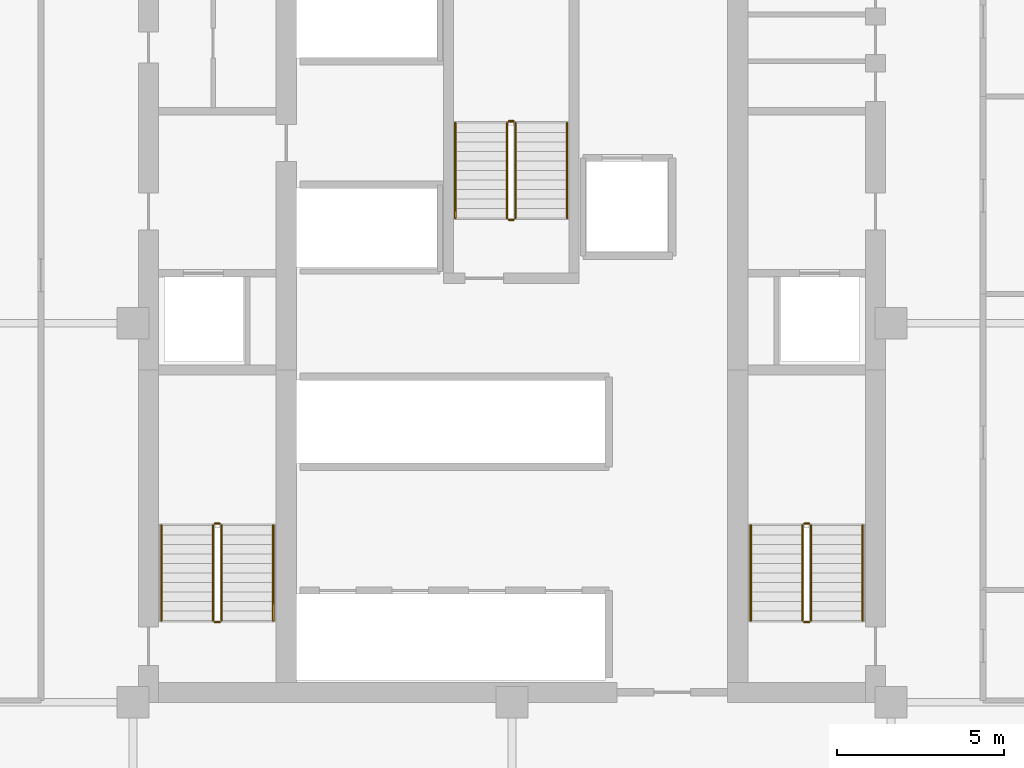
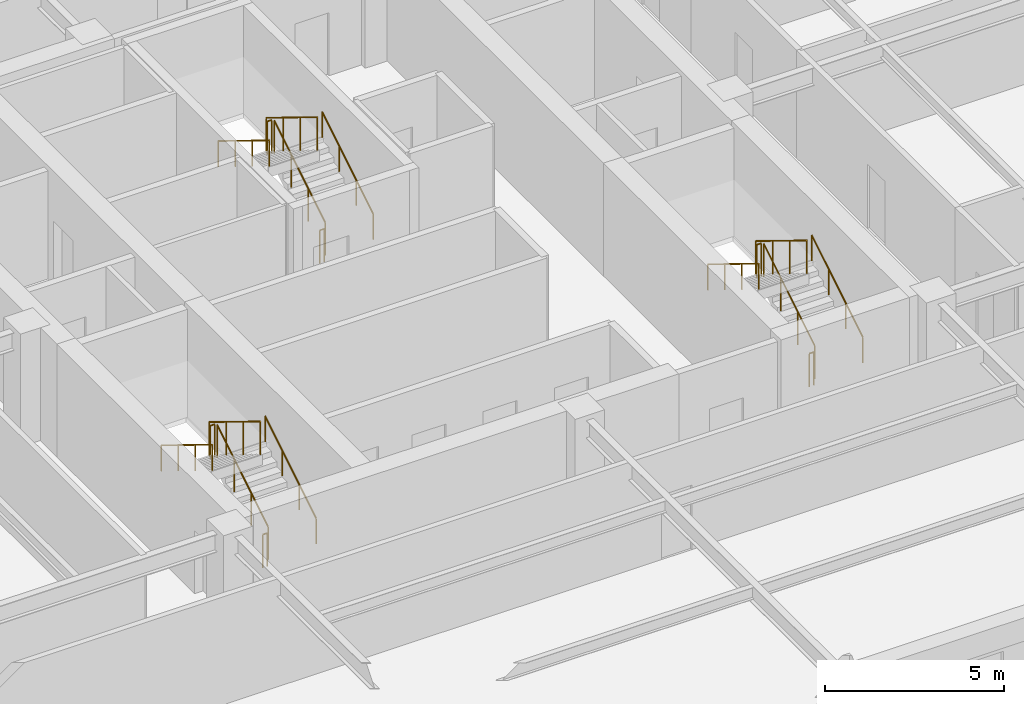
# One storey, part 9 of 9: 18 railings.
"""IFC4 building model written with IfcOpenShell, lengths in metres."""

from ifc_helpers import new_model, si_unit, direction, frame, origin, origin_2d, place, context, subcontext, project, spatial, circle, extrude, material, type_object, element, save


model = new_model("IFC4")

# Units and contexts
model_context = context("Model", 3, precision=1e-05, world=origin(), true_north=direction((0.0, 1.0)))
body_context = subcontext(model_context, "Body", "Model", "MODEL_VIEW")
ifc_project = project(units=[si_unit("LENGTHUNIT", "METRE"), si_unit("AREAUNIT", "SQUARE_METRE"), si_unit("VOLUMEUNIT", "CUBIC_METRE"), si_unit("PLANEANGLEUNIT", "RADIAN"), si_unit("MASSUNIT", "GRAM", prefix="KILO")], contexts=[model_context])

# Site, building, storey
site_placement = place(None, origin())
site = spatial("IfcSite", under=ifc_project, at=site_placement, CompositionType="ELEMENT")
building_placement = place(site_placement, origin())
building = spatial("IfcBuilding", under=site, at=building_placement, Name="Nhamokura Convention Tower", CompositionType="ELEMENT")
storey_placement = place(building_placement, frame((0.0, 0.0, 149.10009765625)))
storey = spatial("IfcBuildingStorey", under=building, at=storey_placement, Name="L36", CompositionType="ELEMENT", Elevation=149.10009765625)

# Railings
ifc_material_1 = material(Name="Anodised bronze stainless steel", Category="steel")
railing_type_1 = type_object("IfcRailingType", Name="StairWallHandrail_900", PredefinedType="HANDRAIL", material=ifc_material_1)
railing_1_placement = place(storey_placement, frame((24.85009765625, 23.10009765625, 0.1748046875)))
element("IfcRailing", 1, at=railing_1_placement, inside=storey, type_object=railing_type_1, Name="L36 ST-01 stair handrail 1", PredefinedType="HANDRAIL", context=body_context, shape_type="SweptSolid", body=[
    extrude(circle(Radius=0.02392578125, at=origin_2d()), frame((0.0, 0.0, 0.8759765625), z_axis=(0.0, 0.852159232446, 0.523282564737), x_axis=(-1.0, 0.0, 0.0)), (0.0, 0.0, 1.0), 3.34423828125),
    extrude(circle(Radius=0.02099609375, at=origin_2d()), origin(), (0.0, 0.0, 1.0), 0.851806640625),
    extrude(circle(Radius=0.02099609375, at=origin_2d()), frame((0.0, 0.949951171875, 0.583251953125)), (0.0, 0.0, 1.0), 0.851806640625),
    extrude(circle(Radius=0.02099609375, at=origin_2d()), frame((0.0, 1.89990234375, 1.166748046875)), (0.0, 0.0, 1.0), 0.851806640625),
    extrude(circle(Radius=0.02099609375, at=origin_2d()), frame((0.0, 2.849853515625, 1.75)), (0.0, 0.0, 1.0), 0.851806640625),
])
railing_2_placement = place(storey_placement, frame((21.5, 25.949951171875, 2.099853515625)))
element("IfcRailing", 2, at=railing_2_placement, inside=storey, type_object=railing_type_1, Name="L36 ST-01 stair handrail 2", PredefinedType="HANDRAIL", context=body_context, shape_type="SweptSolid", body=[
    extrude(circle(Radius=0.02392578125, at=origin_2d()), frame((0.0, 0.0, 0.8759765625), z_axis=(0.0, -0.852159232446, 0.523282564737), x_axis=(1.0, 0.0, 0.0)), (0.0, 0.0, 1.0), 3.34423828125),
    extrude(circle(Radius=0.02099609375, at=origin_2d()), origin(), (0.0, 0.0, 1.0), 0.851806640625),
    extrude(circle(Radius=0.02099609375, at=origin_2d()), frame((0.0, -0.949951171875, 0.583251953125)), (0.0, 0.0, 1.0), 0.851806640625),
    extrude(circle(Radius=0.02099609375, at=origin_2d()), frame((0.0, -1.89990234375, 1.166748046875)), (0.0, 0.0, 1.0), 0.851806640625),
    extrude(circle(Radius=0.02099609375, at=origin_2d()), frame((0.0, -2.849853515625, 1.75)), (0.0, 0.0, 1.0), 0.851806640625),
])
railing_3_placement = place(storey_placement, frame((42.5, 23.10009765625, 0.1748046875)))
element("IfcRailing", 3, at=railing_3_placement, inside=storey, type_object=railing_type_1, Name="L36 ST-02 stair handrail 1", PredefinedType="HANDRAIL", context=body_context, shape_type="SweptSolid", body=[
    extrude(circle(Radius=0.02392578125, at=origin_2d()), frame((0.0, 0.0, 0.8759765625), z_axis=(0.0, 0.852159232446, 0.523282564737), x_axis=(-1.0, 0.0, 0.0)), (0.0, 0.0, 1.0), 3.34423828125),
    extrude(circle(Radius=0.02099609375, at=origin_2d()), origin(), (0.0, 0.0, 1.0), 0.851806640625),
    extrude(circle(Radius=0.02099609375, at=origin_2d()), frame((0.0, 0.949951171875, 0.583251953125)), (0.0, 0.0, 1.0), 0.851806640625),
    extrude(circle(Radius=0.02099609375, at=origin_2d()), frame((0.0, 1.89990234375, 1.166748046875)), (0.0, 0.0, 1.0), 0.851806640625),
    extrude(circle(Radius=0.02099609375, at=origin_2d()), frame((0.0, 2.849853515625, 1.75)), (0.0, 0.0, 1.0), 0.851806640625),
])
railing_4_placement = place(storey_placement, frame((39.14990234375, 25.949951171875, 2.099853515625)))
element("IfcRailing", 4, at=railing_4_placement, inside=storey, type_object=railing_type_1, Name="L36 ST-02 stair handrail 2", PredefinedType="HANDRAIL", context=body_context, shape_type="SweptSolid", body=[
    extrude(circle(Radius=0.02392578125, at=origin_2d()), frame((0.0, 0.0, 0.8759765625), z_axis=(0.0, -0.852159232446, 0.523282564737), x_axis=(1.0, 0.0, 0.0)), (0.0, 0.0, 1.0), 3.34423828125),
    extrude(circle(Radius=0.02099609375, at=origin_2d()), origin(), (0.0, 0.0, 1.0), 0.851806640625),
    extrude(circle(Radius=0.02099609375, at=origin_2d()), frame((0.0, -0.949951171875, 0.583251953125)), (0.0, 0.0, 1.0), 0.851806640625),
    extrude(circle(Radius=0.02099609375, at=origin_2d()), frame((0.0, -1.89990234375, 1.166748046875)), (0.0, 0.0, 1.0), 0.851806640625),
    extrude(circle(Radius=0.02099609375, at=origin_2d()), frame((0.0, -2.849853515625, 1.75)), (0.0, 0.0, 1.0), 0.851806640625),
])
railing_5_placement = place(storey_placement, frame((33.64990234375, 35.14990234375, 0.1748046875)))
element("IfcRailing", 5, at=railing_5_placement, inside=storey, type_object=railing_type_1, Name="L36 ST-03 stair handrail 1", PredefinedType="HANDRAIL", context=body_context, shape_type="SweptSolid", body=[
    extrude(circle(Radius=0.02392578125, at=origin_2d()), frame((0.0, 0.0, 0.8759765625), z_axis=(0.0, 0.852179220489, 0.52325001306), x_axis=(-1.0, 0.0, 0.0)), (0.0, 0.0, 1.0), 3.344482421875),
    extrude(circle(Radius=0.02099609375, at=origin_2d()), origin(), (0.0, 0.0, 1.0), 0.851806640625),
    extrude(circle(Radius=0.02099609375, at=origin_2d()), frame((0.0, 0.949951171875, 0.583251953125)), (0.0, 0.0, 1.0), 0.851806640625),
    extrude(circle(Radius=0.02099609375, at=origin_2d()), frame((0.0, 1.900146484375, 1.166748046875)), (0.0, 0.0, 1.0), 0.851806640625),
    extrude(circle(Radius=0.02099609375, at=origin_2d()), frame((0.0, 2.85009765625, 1.75)), (0.0, 0.0, 1.0), 0.851806640625),
])
railing_6_placement = place(storey_placement, frame((30.300048828125, 38.0, 2.099853515625)))
element("IfcRailing", 6, at=railing_6_placement, inside=storey, type_object=railing_type_1, Name="L36 ST-03 stair handrail 2", PredefinedType="HANDRAIL", context=body_context, shape_type="SweptSolid", body=[
    extrude(circle(Radius=0.02392578125, at=origin_2d()), frame((0.0, 0.0, 0.8759765625), z_axis=(0.0, -0.852179220489, 0.52325001306), x_axis=(1.0, 0.0, 0.0)), (0.0, 0.0, 1.0), 3.344482421875),
    extrude(circle(Radius=0.02099609375, at=origin_2d()), origin(), (0.0, 0.0, 1.0), 0.851806640625),
    extrude(circle(Radius=0.02099609375, at=origin_2d()), frame((0.0, -0.949951171875, 0.583251953125)), (0.0, 0.0, 1.0), 0.851806640625),
    extrude(circle(Radius=0.02099609375, at=origin_2d()), frame((0.0, -1.900146484375, 1.166748046875)), (0.0, 0.0, 1.0), 0.851806640625),
    extrude(circle(Radius=0.02099609375, at=origin_2d()), frame((0.0, -2.85009765625, 1.75)), (0.0, 0.0, 1.0), 0.851806640625),
])
ifc_material_2 = material(Name="Painted tubular steel", Category="steel")
railing_type_2 = type_object("IfcRailingType", Name="StairWellGuardrail_1150", PredefinedType="GUARDRAIL", material=ifc_material_2)
railing_7_placement = place(storey_placement, frame((23.300048828125, 23.10009765625, 0.1748046875)))
element("IfcRailing", 7, at=railing_7_placement, inside=storey, type_object=railing_type_2, Name="L36 ST-01 stair guard 1", PredefinedType="GUARDRAIL", context=body_context, shape_type="SweptSolid", body=[
    extrude(circle(Radius=0.02392578125, at=origin_2d()), frame((0.0, 0.0, 1.1259765625), z_axis=(0.0, 0.852159232446, 0.523282564737), x_axis=(-1.0, 0.0, 0.0)), (0.0, 0.0, 1.0), 3.34423828125),
    extrude(circle(Radius=0.02099609375, at=origin_2d()), origin(), (0.0, 0.0, 1.0), 1.101806640625),
    extrude(circle(Radius=0.02099609375, at=origin_2d()), frame((0.0, 0.949951171875, 0.583251953125)), (0.0, 0.0, 1.0), 1.101806640625),
    extrude(circle(Radius=0.02099609375, at=origin_2d()), frame((0.0, 1.89990234375, 1.166748046875)), (0.0, 0.0, 1.0), 1.101806640625),
    extrude(circle(Radius=0.02099609375, at=origin_2d()), frame((0.0, 2.849853515625, 1.75)), (0.0, 0.0, 1.0), 1.101806640625),
])
railing_8_placement = place(storey_placement, frame((23.25, 26.0, 1.9248046875)))
element("IfcRailing", 8, at=railing_8_placement, inside=storey, type_object=railing_type_2, Name="L36 ST-01 stair guard 2", PredefinedType="GUARDRAIL", context=body_context, shape_type="SweptSolid", body=[
    extrude(circle(Radius=0.02392578125, at=origin_2d()), frame((0.0, 0.0, 1.1259765625), z_axis=(-1.0, 0.0, 0.0), x_axis=(0.0, -1.0, 0.0)), (0.0, 0.0, 1.0), 0.14990234375),
    extrude(circle(Radius=0.02099609375, at=origin_2d()), origin(), (0.0, 0.0, 1.0), 1.101806640625),
    extrude(circle(Radius=0.02099609375, at=origin_2d()), frame((-0.14990234375, 0.0, 0.0)), (0.0, 0.0, 1.0), 1.101806640625),
])
railing_9_placement = place(storey_placement, frame((23.050048828125, 25.949951171875, 2.099853515625)))
element("IfcRailing", 9, at=railing_9_placement, inside=storey, type_object=railing_type_2, Name="L36 ST-01 stair guard 3", PredefinedType="GUARDRAIL", context=body_context, shape_type="SweptSolid", body=[
    extrude(circle(Radius=0.02392578125, at=origin_2d()), frame((0.0, 0.0, 1.1259765625), z_axis=(0.0, -0.852159232446, 0.523282564737), x_axis=(1.0, 0.0, 0.0)), (0.0, 0.0, 1.0), 3.34423828125),
    extrude(circle(Radius=0.02099609375, at=origin_2d()), origin(), (0.0, 0.0, 1.0), 1.101806640625),
    extrude(circle(Radius=0.02099609375, at=origin_2d()), frame((0.0, -0.949951171875, 0.583251953125)), (0.0, 0.0, 1.0), 1.101806640625),
    extrude(circle(Radius=0.02099609375, at=origin_2d()), frame((0.0, -1.89990234375, 1.166748046875)), (0.0, 0.0, 1.0), 1.101806640625),
    extrude(circle(Radius=0.02099609375, at=origin_2d()), frame((0.0, -2.849853515625, 1.75)), (0.0, 0.0, 1.0), 1.101806640625),
])
railing_10_placement = place(storey_placement, frame((23.25, 23.050048828125, 0.0)))
element("IfcRailing", 10, at=railing_10_placement, inside=storey, type_object=railing_type_2, Name="L36 ST-01 stair guard 4", PredefinedType="GUARDRAIL", context=body_context, shape_type="SweptSolid", body=[
    extrude(circle(Radius=0.02392578125, at=origin_2d()), frame((0.0, 0.0, 1.1259765625), z_axis=(-1.0, 0.0, 0.0), x_axis=(0.0, -1.0, 0.0)), (0.0, 0.0, 1.0), 0.14990234375),
    extrude(circle(Radius=0.02099609375, at=origin_2d()), origin(), (0.0, 0.0, 1.0), 1.101806640625),
    extrude(circle(Radius=0.02099609375, at=origin_2d()), frame((-0.14990234375, 0.0, 0.0)), (0.0, 0.0, 1.0), 1.101806640625),
])
railing_11_placement = place(storey_placement, frame((40.949951171875, 23.10009765625, 0.1748046875)))
element("IfcRailing", 11, at=railing_11_placement, inside=storey, type_object=railing_type_2, Name="L36 ST-02 stair guard 1", PredefinedType="GUARDRAIL", context=body_context, shape_type="SweptSolid", body=[
    extrude(circle(Radius=0.02392578125, at=origin_2d()), frame((0.0, 0.0, 1.1259765625), z_axis=(0.0, 0.852159232446, 0.523282564737), x_axis=(-1.0, 0.0, 0.0)), (0.0, 0.0, 1.0), 3.34423828125),
    extrude(circle(Radius=0.02099609375, at=origin_2d()), origin(), (0.0, 0.0, 1.0), 1.101806640625),
    extrude(circle(Radius=0.02099609375, at=origin_2d()), frame((0.0, 0.949951171875, 0.583251953125)), (0.0, 0.0, 1.0), 1.101806640625),
    extrude(circle(Radius=0.02099609375, at=origin_2d()), frame((0.0, 1.89990234375, 1.166748046875)), (0.0, 0.0, 1.0), 1.101806640625),
    extrude(circle(Radius=0.02099609375, at=origin_2d()), frame((0.0, 2.849853515625, 1.75)), (0.0, 0.0, 1.0), 1.101806640625),
])
railing_12_placement = place(storey_placement, frame((40.89990234375, 26.0, 1.9248046875)))
element("IfcRailing", 12, at=railing_12_placement, inside=storey, type_object=railing_type_2, Name="L36 ST-02 stair guard 2", PredefinedType="GUARDRAIL", context=body_context, shape_type="SweptSolid", body=[
    extrude(circle(Radius=0.02392578125, at=origin_2d()), frame((0.0, 0.0, 1.1259765625), z_axis=(-1.0, 0.0, 0.0), x_axis=(0.0, -1.0, 0.0)), (0.0, 0.0, 1.0), 0.14990234375),
    extrude(circle(Radius=0.02099609375, at=origin_2d()), origin(), (0.0, 0.0, 1.0), 1.101806640625),
    extrude(circle(Radius=0.02099609375, at=origin_2d()), frame((-0.14990234375, 0.0, 0.0)), (0.0, 0.0, 1.0), 1.101806640625),
])
railing_13_placement = place(storey_placement, frame((40.699951171875, 25.949951171875, 2.099853515625)))
element("IfcRailing", 13, at=railing_13_placement, inside=storey, type_object=railing_type_2, Name="L36 ST-02 stair guard 3", PredefinedType="GUARDRAIL", context=body_context, shape_type="SweptSolid", body=[
    extrude(circle(Radius=0.02392578125, at=origin_2d()), frame((0.0, 0.0, 1.1259765625), z_axis=(0.0, -0.852159232446, 0.523282564737), x_axis=(1.0, 0.0, 0.0)), (0.0, 0.0, 1.0), 3.34423828125),
    extrude(circle(Radius=0.02099609375, at=origin_2d()), origin(), (0.0, 0.0, 1.0), 1.101806640625),
    extrude(circle(Radius=0.02099609375, at=origin_2d()), frame((0.0, -0.949951171875, 0.583251953125)), (0.0, 0.0, 1.0), 1.101806640625),
    extrude(circle(Radius=0.02099609375, at=origin_2d()), frame((0.0, -1.89990234375, 1.166748046875)), (0.0, 0.0, 1.0), 1.101806640625),
    extrude(circle(Radius=0.02099609375, at=origin_2d()), frame((0.0, -2.849853515625, 1.75)), (0.0, 0.0, 1.0), 1.101806640625),
])
railing_14_placement = place(storey_placement, frame((40.89990234375, 23.050048828125, 0.0)))
element("IfcRailing", 14, at=railing_14_placement, inside=storey, type_object=railing_type_2, Name="L36 ST-02 stair guard 4", PredefinedType="GUARDRAIL", context=body_context, shape_type="SweptSolid", body=[
    extrude(circle(Radius=0.02392578125, at=origin_2d()), frame((0.0, 0.0, 1.1259765625), z_axis=(-1.0, 0.0, 0.0), x_axis=(0.0, -1.0, 0.0)), (0.0, 0.0, 1.0), 0.14990234375),
    extrude(circle(Radius=0.02099609375, at=origin_2d()), origin(), (0.0, 0.0, 1.0), 1.101806640625),
    extrude(circle(Radius=0.02099609375, at=origin_2d()), frame((-0.14990234375, 0.0, 0.0)), (0.0, 0.0, 1.0), 1.101806640625),
])
railing_15_placement = place(storey_placement, frame((32.10009765625, 35.14990234375, 0.1748046875)))
element("IfcRailing", 15, at=railing_15_placement, inside=storey, type_object=railing_type_2, Name="L36 ST-03 stair guard 1", PredefinedType="GUARDRAIL", context=body_context, shape_type="SweptSolid", body=[
    extrude(circle(Radius=0.02392578125, at=origin_2d()), frame((0.0, 0.0, 1.1259765625), z_axis=(0.0, 0.852179220489, 0.52325001306), x_axis=(-1.0, 0.0, 0.0)), (0.0, 0.0, 1.0), 3.344482421875),
    extrude(circle(Radius=0.02099609375, at=origin_2d()), origin(), (0.0, 0.0, 1.0), 1.101806640625),
    extrude(circle(Radius=0.02099609375, at=origin_2d()), frame((0.0, 0.949951171875, 0.583251953125)), (0.0, 0.0, 1.0), 1.101806640625),
    extrude(circle(Radius=0.02099609375, at=origin_2d()), frame((0.0, 1.900146484375, 1.166748046875)), (0.0, 0.0, 1.0), 1.101806640625),
    extrude(circle(Radius=0.02099609375, at=origin_2d()), frame((0.0, 2.85009765625, 1.75)), (0.0, 0.0, 1.0), 1.101806640625),
])
railing_16_placement = place(storey_placement, frame((32.050048828125, 38.050048828125, 1.9248046875)))
element("IfcRailing", 16, at=railing_16_placement, inside=storey, type_object=railing_type_2, Name="L36 ST-03 stair guard 2", PredefinedType="GUARDRAIL", context=body_context, shape_type="SweptSolid", body=[
    extrude(circle(Radius=0.02392578125, at=origin_2d()), frame((0.0, 0.0, 1.1259765625), z_axis=(-1.0, 0.0, 0.0), x_axis=(0.0, -1.0, 0.0)), (0.0, 0.0, 1.0), 0.150146484375),
    extrude(circle(Radius=0.02099609375, at=origin_2d()), origin(), (0.0, 0.0, 1.0), 1.101806640625),
    extrude(circle(Radius=0.02099609375, at=origin_2d()), frame((-0.150146484375, 0.0, 0.0)), (0.0, 0.0, 1.0), 1.101806640625),
])
railing_17_placement = place(storey_placement, frame((31.85009765625, 38.0, 2.099853515625)))
element("IfcRailing", 17, at=railing_17_placement, inside=storey, type_object=railing_type_2, Name="L36 ST-03 stair guard 3", PredefinedType="GUARDRAIL", context=body_context, shape_type="SweptSolid", body=[
    extrude(circle(Radius=0.02392578125, at=origin_2d()), frame((0.0, 0.0, 1.1259765625), z_axis=(0.0, -0.852179220489, 0.52325001306), x_axis=(1.0, 0.0, 0.0)), (0.0, 0.0, 1.0), 3.344482421875),
    extrude(circle(Radius=0.02099609375, at=origin_2d()), origin(), (0.0, 0.0, 1.0), 1.101806640625),
    extrude(circle(Radius=0.02099609375, at=origin_2d()), frame((0.0, -0.949951171875, 0.583251953125)), (0.0, 0.0, 1.0), 1.101806640625),
    extrude(circle(Radius=0.02099609375, at=origin_2d()), frame((0.0, -1.900146484375, 1.166748046875)), (0.0, 0.0, 1.0), 1.101806640625),
    extrude(circle(Radius=0.02099609375, at=origin_2d()), frame((0.0, -2.85009765625, 1.75)), (0.0, 0.0, 1.0), 1.101806640625),
])
railing_18_placement = place(storey_placement, frame((32.050048828125, 35.10009765625, 0.0)))
element("IfcRailing", 18, at=railing_18_placement, inside=storey, type_object=railing_type_2, Name="L36 ST-03 stair guard 4", PredefinedType="GUARDRAIL", context=body_context, shape_type="SweptSolid", body=[
    extrude(circle(Radius=0.02392578125, at=origin_2d()), frame((0.0, 0.0, 1.1259765625), z_axis=(-1.0, 0.0, 0.0), x_axis=(0.0, -1.0, 0.0)), (0.0, 0.0, 1.0), 0.150146484375),
    extrude(circle(Radius=0.02099609375, at=origin_2d()), origin(), (0.0, 0.0, 1.0), 1.101806640625),
    extrude(circle(Radius=0.02099609375, at=origin_2d()), frame((-0.150146484375, 0.0, 0.0)), (0.0, 0.0, 1.0), 1.101806640625),
])

save(model, "model.ifc")
